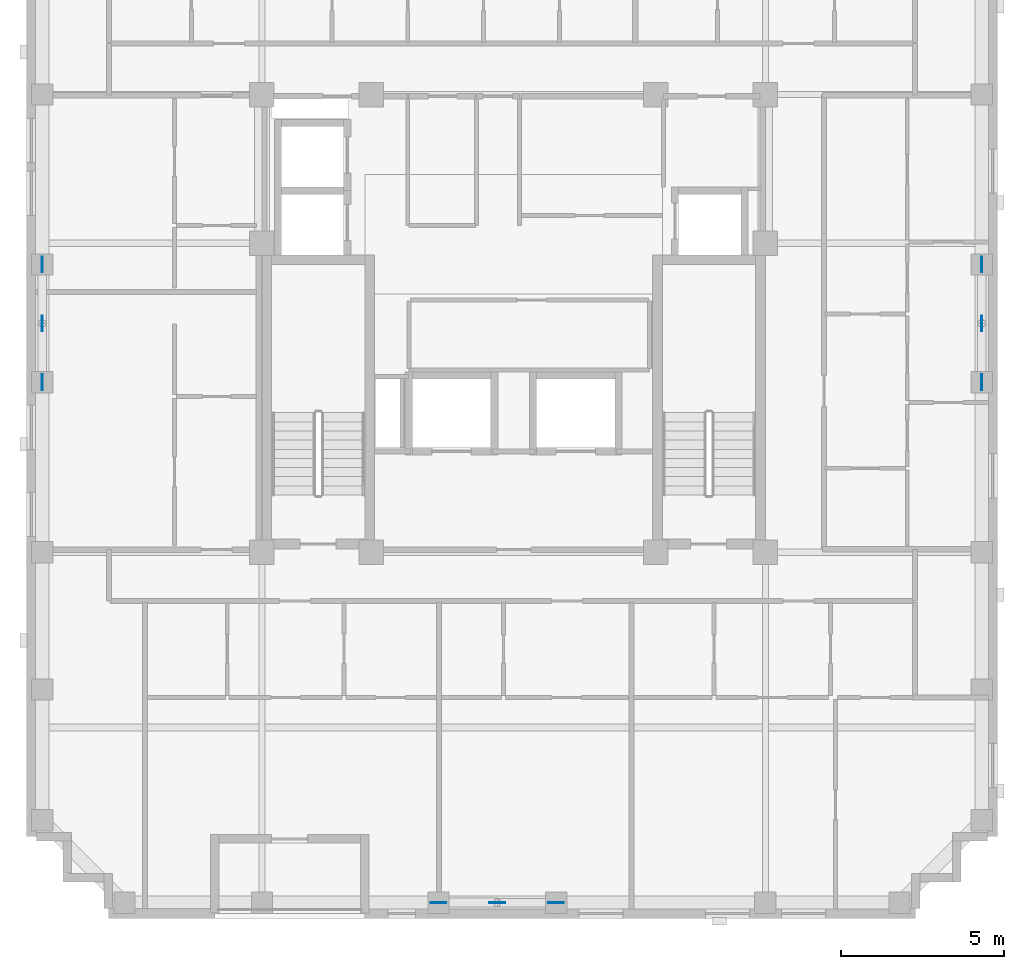
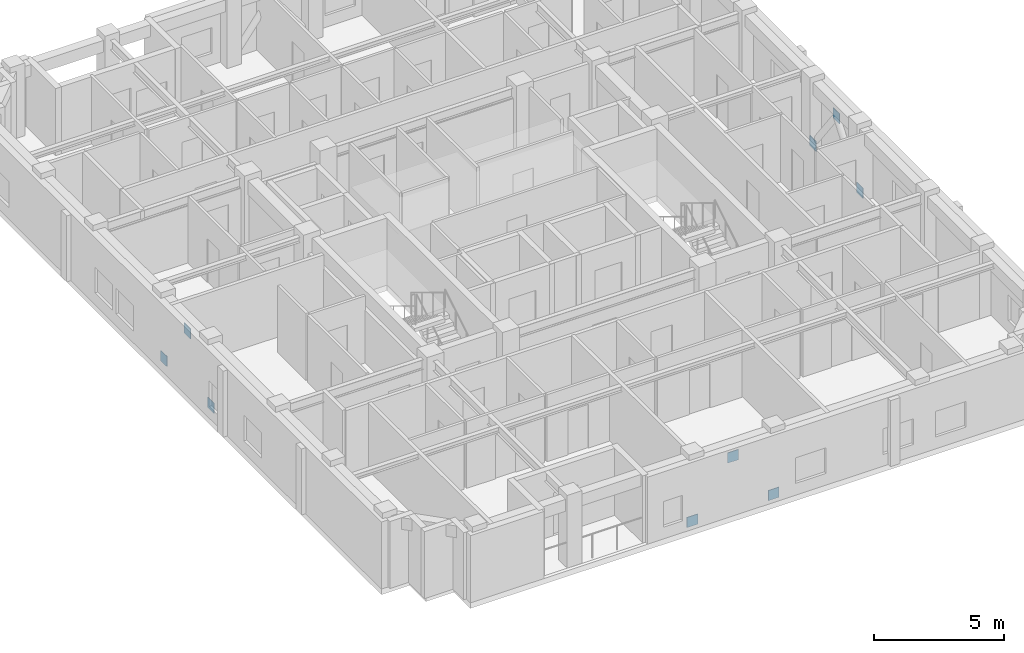
# One storey, part 8 of 11: 9 discrete accessories.
"""IFC4 building model written with IfcOpenShell, lengths in metres."""

from ifc_helpers import new_model, si_unit, derived_unit, direction, frame, origin, origin_2d, place, context, subcontext, project, spatial, rectangle, extrude, material, layer, layer_set, type_object, element, save


model = new_model("IFC4")

# Units and contexts
model_context = context("Model", 3, precision=1e-05, world=origin(), true_north=direction((0.0, 1.0)))
body_context = subcontext(model_context, "Body", "Model", "MODEL_VIEW")
ifc_project = project(units=[si_unit("LENGTHUNIT", "METRE"), si_unit("AREAUNIT", "SQUARE_METRE"), si_unit("VOLUMEUNIT", "CUBIC_METRE"), si_unit("PLANEANGLEUNIT", "RADIAN"), si_unit("MASSUNIT", "GRAM", prefix="KILO"), derived_unit("THERMALTRANSMITTANCEUNIT", [(si_unit("MASSUNIT", "GRAM", prefix="KILO"), 1), (si_unit("TIMEUNIT", "SECOND"), -3), (si_unit("THERMODYNAMICTEMPERATUREUNIT", "KELVIN"), -1)])], contexts=[model_context])

# Site, building, storey
site_placement = place(None, origin())
site = spatial("IfcSite", under=ifc_project, at=site_placement, CompositionType="ELEMENT")
building_placement = place(site_placement, origin())
building = spatial("IfcBuilding", under=site, at=building_placement, Name="Korrvale Station Residences", CompositionType="ELEMENT")
storey_placement = place(building_placement, frame((0.0, 0.0, 247.89990234375)))
storey = spatial("IfcBuildingStorey", under=building, at=storey_placement, Name="L72", CompositionType="ELEMENT", Elevation=247.89990234375)

# Discrete accessories
ifc_material = material(Name="Steel S355", Category="steel")
ifc_layer = layer(ifc_material, 0.02490234375, Name="Steel S355")
ifc_layer_set = layer_set([ifc_layer], Name="Steel S355")
discrete_accessory_type = type_object("IfcDiscreteAccessoryType", Name="ACC-GUSSET-25", PredefinedType="BRACKET", material=ifc_layer_set)
for number, where, z_axis, x_axis, name in (
    (1, (23.199951171875, 4.280029296875, -0.219970703125), (0.0, 0.0, 1.0), (1.0, 0.0, 0.0), "L72 S Brace End Gusset Connection A"),
    (2, (26.800048828125, 4.280029296875, -0.219970703125), (0.0, 0.0, 1.0), (1.0, 0.0, 0.0), "L72 S Brace End Gusset Connection B"),
    (3, (25.0, 4.280029296875, 2.170166015625), (0.0, 0.0, 1.0), (1.0, 0.0, 0.0), "L72 S Brace End Gusset Connection M"),
    (4, (11.080078125, 20.199951171875, -0.219970703125), (0.0, 0.0, 1.0), (0.0, 1.0, 0.0), "L72 W Brace End Gusset Connection A"),
    (5, (11.080078125, 23.800048828125, -0.219970703125), (0.0, 0.0, 1.0), (0.0, 1.0, 0.0), "L72 W Brace End Gusset Connection B"),
    (6, (11.080078125, 22.0, 2.170166015625), (0.0, 0.0, 1.0), (0.0, 1.0, 0.0), "L72 W Brace End Gusset Connection M"),
    (7, (39.820068359375, 20.199951171875, -0.219970703125), (0.0, 0.0, 1.0), (0.0, 1.0, 0.0), "L72 E Brace End Gusset Connection A"),
    (8, (39.820068359375, 23.800048828125, -0.219970703125), (0.0, 0.0, 1.0), (0.0, 1.0, 0.0), "L72 E Brace End Gusset Connection B"),
    (9, (39.820068359375, 22.0, 2.170166015625), (0.0, 0.0, 1.0), (0.0, 1.0, 0.0), "L72 E Brace End Gusset Connection M"),
):
    element("IfcDiscreteAccessory", number, at=place(storey_placement, frame(where, z_axis=z_axis, x_axis=x_axis)), inside=storey, type_object=discrete_accessory_type, Name=name, PredefinedType="BRACKET", context=body_context, shape_type="SweptSolid", body=[
        extrude(rectangle(XDim=0.47998046875, YDim=0.02490234375, at=origin_2d()), origin(), (0.0, 0.0, 1.0), 0.47998046875),
    ])

save(model, "model.ifc")
